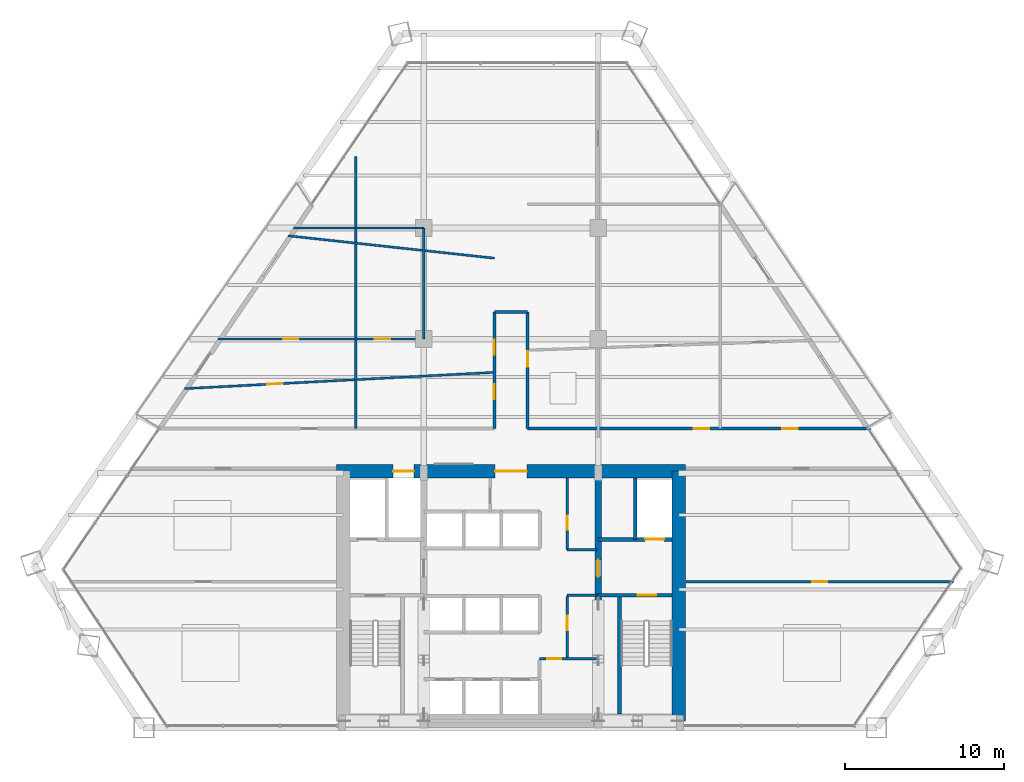
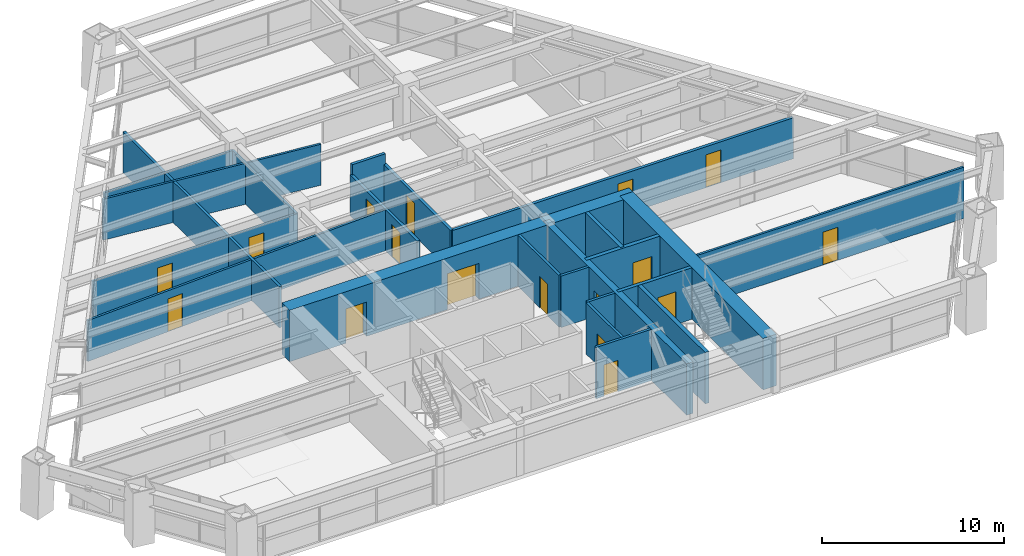
# One storey, part 11 of 14: 23 walls, 17 doors, 17 openings.
"""IFC4 building model written with IfcOpenShell, lengths in metres."""

from ifc_helpers import new_model, si_unit, direction, frame, frame_2d, origin, place, context, subcontext, project, spatial, rectangle, extrude, source, transform, mapped, material, layer, layer_set, type_object, type_shapes, element, fill, save


model = new_model("IFC4")

# Units and contexts
model_context = context("Model", 3, precision=1e-05, world=origin(), true_north=direction((0.0, 1.0)))
body_context = subcontext(model_context, "Body", "Model", "MODEL_VIEW")
ifc_project = project(units=[si_unit("LENGTHUNIT", "METRE"), si_unit("AREAUNIT", "SQUARE_METRE"), si_unit("VOLUMEUNIT", "CUBIC_METRE"), si_unit("PLANEANGLEUNIT", "RADIAN"), si_unit("MASSUNIT", "GRAM", prefix="KILO")], contexts=[model_context])

# Site, building, storey
site_placement = place(None, origin())
site = spatial("IfcSite", under=ifc_project, at=site_placement, CompositionType="ELEMENT")
building_placement = place(site_placement, origin())
building = spatial("IfcBuilding", under=site, at=building_placement, Name="Varnakhor Terracotta Tower", CompositionType="ELEMENT")
storey_placement = place(building_placement, frame((0.0, 0.0, 64.5)))
storey = spatial("IfcBuildingStorey", under=building, at=storey_placement, Name="L15", CompositionType="ELEMENT", Elevation=64.5)

# Wall, openings, doors
ifc_material_1 = material(Name="Concrete C60/75", Category="concrete")
ifc_layer_1 = layer(ifc_material_1, 0.85009765625, Name="Concrete C60/75")
ifc_layer_set_1 = layer_set([ifc_layer_1], Name="Concrete C60/75")
wall_type_1 = type_object("IfcWallType", Name="WAL-CORE-850", PredefinedType="SHEAR", material=ifc_layer_set_1)
wall_1_placement = place(storey_placement, frame((-11.0, 16.175048828125, 0.0), z_axis=(0.0, 0.0, 1.0), x_axis=(1.0, 0.0, 0.0)))
wall_1 = element("IfcWall", 1, at=wall_1_placement, inside=storey, type_object=wall_type_1, Name="L15 North Core Shear Wall", PredefinedType="SHEAR", context=body_context, shape_type="SweptSolid", body=[
    extrude(rectangle(XDim=22.0, YDim=0.85009765625, at=frame_2d((11.0, 0.0))), origin(), (0.0, 0.0, 1.0), 3.449951171875),
])
opening_1_placement = place(wall_1_placement, frame((3.570068359375, 0.0, 0.0)))
opening_1 = element("IfcOpeningElement", 2, at=opening_1_placement, cuts=wall_1, Name="Opening LD-03", PredefinedType="OPENING", context=body_context, shape_type="SweptSolid", body=[
    extrude(rectangle(XDim=1.300048828125, YDim=2.300048828125, at=frame_2d((0.64990234375, 1.14990234375))), frame((0.0, 0.43505859375, 0.0), z_axis=(0.0, -1.0, 0.0), x_axis=(1.0, 0.0, 0.0)), (0.0, 0.0, 1.0), 0.8701171875),
])
opening_2_placement = place(wall_1_placement, frame((10.0, 0.0, 0.0)))
opening_2 = element("IfcOpeningElement", 3, at=opening_2_placement, cuts=wall_1, Name="Opening DR-32", PredefinedType="OPENING", context=body_context, shape_type="SweptSolid", body=[
    extrude(rectangle(XDim=2.0, YDim=2.39990234375, at=frame_2d((1.0, 1.199951171875))), frame((0.0, 0.43505859375, 0.0), z_axis=(0.0, -1.0, 0.0), x_axis=(1.0, 0.0, 0.0)), (0.0, 0.0, 1.0), 0.8701171875),
])
ifc_material_2 = material(Name="Heavy-Duty Goods Sliding Lift Landing Door", Category="steel")
door_type_1 = type_object("IfcDoorType", Name="LD-SRV-1300X2300", OperationType="NOTDEFINED", PredefinedType="DOOR", material=ifc_material_2)
shared_shape_1 = source(origin(), body_context, "Body", "SweptSolid", [
    extrude(rectangle(XDim=1.300048828125, YDim=2.300048828125, at=frame_2d((0.64990234375, 1.14990234375))), frame((0.0, 0.02490234375, 0.0), z_axis=(0.0, -1.0, 0.0), x_axis=(1.0, 0.0, 0.0)), (0.0, 0.0, 1.0), 0.050048828125),
])
type_shapes(door_type_1, [shared_shape_1])
door_1_placement = place(opening_1_placement, origin())
door_1 = element("IfcDoor", 4, at=door_1_placement, inside=storey, type_object=door_type_1, Name="L15 Service Lift SVL-1 Landing Door", OperationType="SLIDING_TO_RIGHT", OverallHeight=2.300048828125, OverallWidth=1.300048828125, PredefinedType="DOOR", context=body_context, shape_type="MappedRepresentation", body=[
    mapped(shared_shape_1, transform((0.0, 0.0, 0.0), scale=1.0)),
])
fill(opening_1, door_1)
ifc_material_3 = material(Name="Acoustic Double Assembly Fire Door", Category="wood")
door_type_2 = type_object("IfcDoorType", Name="DR-HALL-2000X2400", OperationType="NOTDEFINED", PredefinedType="DOOR", material=ifc_material_3)
shared_shape_2 = source(origin(), body_context, "Body", "SweptSolid", [
    extrude(rectangle(XDim=2.0, YDim=2.39990234375, at=frame_2d((1.0, 1.199951171875))), frame((0.0, 0.02490234375, 0.0), z_axis=(0.0, -1.0, 0.0), x_axis=(1.0, 0.0, 0.0)), (0.0, 0.0, 1.0), 0.050048828125),
])
type_shapes(door_type_2, [shared_shape_2])
door_2_placement = place(opening_2_placement, origin())
door_2 = element("IfcDoor", 5, at=door_2_placement, inside=storey, type_object=door_type_2, Name="L15 Core Main Lobby Double Door", OperationType="DOUBLE_DOOR_SINGLE_SWING", OverallHeight=2.39990234375, OverallWidth=2.0, PredefinedType="DOOR", context=body_context, shape_type="MappedRepresentation", body=[
    mapped(shared_shape_2, transform((0.0, 0.0, 0.0), scale=1.0)),
])
fill(opening_2, door_2)

# Wall
wall_2_placement = place(storey_placement, frame((10.574951171875, 0.425048828125, 0.0), z_axis=(0.0, 0.0, 1.0), x_axis=(0.0, 1.0, 0.0)))
element("IfcWall", 6, at=wall_2_placement, inside=storey, type_object=wall_type_1, Name="L15 East Core Shear Wall", PredefinedType="SHEAR", context=body_context, shape_type="SweptSolid", body=[
    extrude(rectangle(XDim=15.75, YDim=0.85009765625, at=frame_2d((7.875, 0.0))), origin(), (0.0, 0.0, 1.0), 3.449951171875),
])

# Wall, opening, door
ifc_material_4 = material(Name="Concrete C50/60", Category="concrete")
ifc_layer_2 = layer(ifc_material_4, 0.39990234375, Name="Concrete C50/60")
ifc_layer_set_2 = layer_set([ifc_layer_2], Name="Concrete C50/60")
wall_type_2 = type_object("IfcWallType", Name="WAL-CORE-WEB-400", PredefinedType="SHEAR", material=ifc_layer_set_2)
wall_3_placement = place(storey_placement, frame((5.5, 0.425048828125, 0.0), z_axis=(0.0, 0.0, 1.0), x_axis=(0.0, 1.0, 0.0)))
wall_3 = element("IfcWall", 7, at=wall_3_placement, inside=storey, type_object=wall_type_2, Name="L15 East Core Web Shear Wall", PredefinedType="SHEAR", context=body_context, shape_type="SweptSolid", body=[
    extrude(rectangle(XDim=15.75, YDim=0.39990234375, at=frame_2d((7.875, 0.0))), origin(), (0.0, 0.0, 1.0), 3.449951171875),
])
opening_3_placement = place(wall_3_placement, frame((9.074951171875, 0.0, 0.0)))
opening_3 = element("IfcOpeningElement", 8, at=opening_3_placement, cuts=wall_3, Name="Opening DR-25", PredefinedType="OPENING", context=body_context, shape_type="SweptSolid", body=[
    extrude(rectangle(XDim=1.10009765625, YDim=2.199951171875, at=frame_2d((0.550048828125, 1.10009765625))), frame((0.0, 0.2099609375, 0.0), z_axis=(0.0, -1.0, 0.0), x_axis=(1.0, 0.0, 0.0)), (0.0, 0.0, 1.0), 0.419921875),
])
ifc_material_5 = material(Name="Firefighting Lobby Self-Closing Fire Door", Category="steel")
door_type_3 = type_object("IfcDoorType", Name="DR-FFL-1100X2200", OperationType="NOTDEFINED", PredefinedType="DOOR", material=ifc_material_5)
shared_shape_3 = source(origin(), body_context, "Body", "SweptSolid", [
    extrude(rectangle(XDim=1.10009765625, YDim=2.199951171875, at=frame_2d((0.550048828125, 1.10009765625))), frame((0.0, 0.02490234375, 0.0), z_axis=(0.0, -1.0, 0.0), x_axis=(1.0, 0.0, 0.0)), (0.0, 0.0, 1.0), 0.050048828125),
])
type_shapes(door_type_3, [shared_shape_3])
door_3_placement = place(opening_3_placement, origin())
door_3 = element("IfcDoor", 9, at=door_3_placement, inside=storey, type_object=door_type_3, Name="L15 East Firefighting Lobby Door", OperationType="SINGLE_SWING_LEFT", OverallHeight=2.199951171875, OverallWidth=1.10009765625, PredefinedType="DOOR", context=body_context, shape_type="MappedRepresentation", body=[
    mapped(shared_shape_3, transform((0.0, 0.0, 0.0), scale=1.0)),
])
fill(opening_3, door_3)

# Wall, openings, doors
ifc_material_6 = material(Name="Fire-Rated Gypsum Stud Partition", Category="gypsum")
ifc_layer_3 = layer(ifc_material_6, 0.18505859375, Name="Fire-Rated Gypsum Stud Partition")
ifc_layer_set_3 = layer_set([ifc_layer_3], Name="Fire-Rated Gypsum Stud Partition")
wall_type_3 = type_object("IfcWallType", Name="WAL-CORR-185", PredefinedType="PARTITIONING", material=ifc_layer_set_3)
wall_4_placement = place(storey_placement, frame((1.050048828125, 18.85009765625, 0.0), z_axis=(0.0, 0.0, 1.0), x_axis=(1.0, 0.0, 0.0)))
wall_4 = element("IfcWall", 10, at=wall_4_placement, inside=storey, type_object=wall_type_3, Name="L15 Corridor North East Wall", PredefinedType="PARTITIONING", context=body_context, shape_type="SweptSolid", body=[
    extrude(rectangle(XDim=21.612060546875, YDim=0.18505859375, at=frame_2d((10.80615234375, 0.0))), origin(), (0.0, 0.0, 1.0), 2.7470703125),
])
opening_4_placement = place(wall_4_placement, frame((10.485107421875, 0.0, 0.0)))
opening_4 = element("IfcOpeningElement", 11, at=opening_4_placement, cuts=wall_4, Name="Opening DR-94", PredefinedType="OPENING", context=body_context, shape_type="SweptSolid", body=[
    extrude(rectangle(XDim=0.949951171875, YDim=2.199951171875, at=frame_2d((0.47509765625, 1.10009765625))), frame((0.0, 0.1025390625, 0.0), z_axis=(0.0, -1.0, 0.0), x_axis=(1.0, 0.0, 0.0)), (0.0, 0.0, 1.0), 0.205078125),
])
opening_5_placement = place(wall_4_placement, frame((16.067626953125, 0.0, 0.0)))
opening_5 = element("IfcOpeningElement", 12, at=opening_5_placement, cuts=wall_4, Name="Opening DR-94", PredefinedType="OPENING", context=body_context, shape_type="SweptSolid", body=[
    extrude(rectangle(XDim=0.949951171875, YDim=2.199951171875, at=frame_2d((0.47509765625, 1.10009765625))), frame((0.0, 0.1025390625, 0.0), z_axis=(0.0, -1.0, 0.0), x_axis=(1.0, 0.0, 0.0)), (0.0, 0.0, 1.0), 0.205078125),
])
ifc_material_7 = material(Name="Acoustic Glazed-Vision Timber Office Door", Category="wood")
door_type_4 = type_object("IfcDoorType", Name="DR-OFF-950X2200", OperationType="NOTDEFINED", PredefinedType="DOOR", material=ifc_material_7)
shared_shape_4 = source(origin(), body_context, "Body", "SweptSolid", [
    extrude(rectangle(XDim=0.949951171875, YDim=2.199951171875, at=frame_2d((0.47509765625, 1.10009765625))), frame((0.0, 0.02490234375, 0.0), z_axis=(0.0, -1.0, 0.0), x_axis=(1.0, 0.0, 0.0)), (0.0, 0.0, 1.0), 0.050048828125),
])
type_shapes(door_type_4, [shared_shape_4])
door_4_placement = place(opening_4_placement, origin())
door_4 = element("IfcDoor", 13, at=door_4_placement, inside=storey, type_object=door_type_4, Name="L15 East Workplace Door", OperationType="SINGLE_SWING_LEFT", OverallHeight=2.199951171875, OverallWidth=0.949951171875, PredefinedType="DOOR", context=body_context, shape_type="MappedRepresentation", body=[
    mapped(shared_shape_4, transform((0.0, 0.0, 0.0), scale=1.0)),
])
fill(opening_4, door_4)
door_5_placement = place(opening_5_placement, origin())
door_5 = element("IfcDoor", 14, at=door_5_placement, inside=storey, type_object=door_type_4, Name="L15 Legal Chambers W1 Door", OperationType="SINGLE_SWING_RIGHT", OverallHeight=2.199951171875, OverallWidth=0.949951171875, PredefinedType="DOOR", context=body_context, shape_type="MappedRepresentation", body=[
    mapped(shared_shape_4, transform((0.0, 0.0, 0.0), scale=1.0)),
])
fill(opening_5, door_5)

wall_5_placement = place(storey_placement, frame((-1.050048828125, 18.85009765625, 0.0), z_axis=(0.0, 0.0, 1.0), x_axis=(0.0, 1.0, 0.0)))
wall_5 = element("IfcWall", 15, at=wall_5_placement, inside=storey, type_object=wall_type_3, Name="L15 Spine West Wall", PredefinedType="PARTITIONING", context=body_context, shape_type="SweptSolid", body=[
    extrude(rectangle(XDim=7.349853515625, YDim=0.18505859375, at=frame_2d((3.6748046875, 0.0))), origin(), (0.0, 0.0, 1.0), 2.7470703125),
])
opening_6_placement = place(wall_5_placement, frame((1.865966796875, 0.0, 0.0)))
opening_6 = element("IfcOpeningElement", 16, at=opening_6_placement, cuts=wall_5, Name="Opening DR-94", PredefinedType="OPENING", context=body_context, shape_type="SweptSolid", body=[
    extrude(rectangle(XDim=0.949951171875, YDim=2.199951171875, at=frame_2d((0.47509765625, 1.10009765625))), frame((0.0, 0.1025390625, 0.0), z_axis=(0.0, -1.0, 0.0), x_axis=(1.0, 0.0, 0.0)), (0.0, 0.0, 1.0), 0.205078125),
])
opening_7_placement = place(wall_5_placement, frame((4.664794921875, 0.0, 0.0)))
opening_7 = element("IfcOpeningElement", 17, at=opening_7_placement, cuts=wall_5, Name="Opening DR-94", PredefinedType="OPENING", context=body_context, shape_type="SweptSolid", body=[
    extrude(rectangle(XDim=0.949951171875, YDim=2.199951171875, at=frame_2d((0.47509765625, 1.10009765625))), frame((0.0, 0.1025390625, 0.0), z_axis=(0.0, -1.0, 0.0), x_axis=(1.0, 0.0, 0.0)), (0.0, 0.0, 1.0), 0.205078125),
])
door_6_placement = place(opening_6_placement, origin())
door_6 = element("IfcDoor", 18, at=door_6_placement, inside=storey, type_object=door_type_4, Name="L15 Spine West Door", OperationType="SINGLE_SWING_RIGHT", OverallHeight=2.199951171875, OverallWidth=0.949951171875, PredefinedType="DOOR", context=body_context, shape_type="MappedRepresentation", body=[
    mapped(shared_shape_4, transform((0.0, 0.0, 0.0), scale=1.0)),
])
fill(opening_6, door_6)
door_7_placement = place(opening_7_placement, origin())
door_7 = element("IfcDoor", 19, at=door_7_placement, inside=storey, type_object=door_type_4, Name="L15 Legal Chambers W2 Door", OperationType="SINGLE_SWING_LEFT", OverallHeight=2.199951171875, OverallWidth=0.949951171875, PredefinedType="DOOR", context=body_context, shape_type="MappedRepresentation", body=[
    mapped(shared_shape_4, transform((0.0, 0.0, 0.0), scale=1.0)),
])
fill(opening_7, door_7)

# Wall, opening, door
wall_6_placement = place(storey_placement, frame((1.050048828125, 18.85009765625, 0.0), z_axis=(0.0, 0.0, 1.0), x_axis=(0.0, 1.0, 0.0)))
wall_6 = element("IfcWall", 20, at=wall_6_placement, inside=storey, type_object=wall_type_3, Name="L15 Spine East Wall", PredefinedType="PARTITIONING", context=body_context, shape_type="SweptSolid", body=[
    extrude(rectangle(XDim=7.349853515625, YDim=0.18505859375, at=frame_2d((3.6748046875, 0.0))), origin(), (0.0, 0.0, 1.0), 2.7470703125),
])
opening_8_placement = place(wall_6_placement, frame((3.919921875, 0.0, 0.0)))
opening_8 = element("IfcOpeningElement", 21, at=opening_8_placement, cuts=wall_6, Name="Opening DR-94", PredefinedType="OPENING", context=body_context, shape_type="SweptSolid", body=[
    extrude(rectangle(XDim=0.949951171875, YDim=2.199951171875, at=frame_2d((0.47509765625, 1.10009765625))), frame((0.0, 0.1025390625, 0.0), z_axis=(0.0, -1.0, 0.0), x_axis=(1.0, 0.0, 0.0)), (0.0, 0.0, 1.0), 0.205078125),
])
door_8_placement = place(opening_8_placement, origin())
door_8 = element("IfcDoor", 22, at=door_8_placement, inside=storey, type_object=door_type_4, Name="L15 Spine East Door", OperationType="SINGLE_SWING_LEFT", OverallHeight=2.199951171875, OverallWidth=0.949951171875, PredefinedType="DOOR", context=body_context, shape_type="MappedRepresentation", body=[
    mapped(shared_shape_4, transform((0.0, 0.0, 0.0), scale=1.0)),
])
fill(opening_8, door_8)

# Wall
wall_7_placement = place(storey_placement, frame((-1.050048828125, 26.199951171875, 0.0), z_axis=(0.0, 0.0, 1.0), x_axis=(1.0, 0.0, 0.0)))
element("IfcWall", 23, at=wall_7_placement, inside=storey, type_object=wall_type_3, Name="L15 Spine North End Wall", PredefinedType="PARTITIONING", context=body_context, shape_type="SweptSolid", body=[
    extrude(rectangle(XDim=2.10009765625, YDim=0.18505859375, at=frame_2d((1.050048828125, 0.0))), origin(), (0.0, 0.0, 1.0), 3.44189453125),
])

# Wall, opening, door
ifc_material_8 = material(Name="Concrete C40/50", Category="concrete")
ifc_layer_4 = layer(ifc_material_8, 0.219970703125, Name="Concrete C40/50")
ifc_layer_set_4 = layer_set([ifc_layer_4], Name="Concrete C40/50")
wall_type_4 = type_object("IfcWallType", Name="WAL-FFLOBBY-220", PredefinedType="SOLIDWALL", material=ifc_layer_set_4)
wall_8_placement = place(storey_placement, frame((10.14990234375, 8.35009765625, 0.0), z_axis=(0.0, 0.0, 1.0), x_axis=(-1.0, 0.0, 0.0)))
wall_8 = element("IfcWall", 24, at=wall_8_placement, inside=storey, type_object=wall_type_4, Name="L15 East Firefighting Lobby Stair Wall", PredefinedType="SOLIDWALL", context=body_context, shape_type="SweptSolid", body=[
    extrude(rectangle(XDim=4.64990234375, YDim=0.219970703125, at=frame_2d((2.324951171875, 0.0))), origin(), (0.0, 0.0, 1.0), 3.449951171875),
])
opening_9_placement = place(wall_8_placement, frame((1.0, 0.0, 0.0)))
opening_9 = element("IfcOpeningElement", 25, at=opening_9_placement, cuts=wall_8, Name="Opening DR-34", PredefinedType="OPENING", context=body_context, shape_type="SweptSolid", body=[
    extrude(rectangle(XDim=1.14990234375, YDim=2.199951171875, at=frame_2d((0.574951171875, 1.10009765625))), frame((0.0, 0.1201171875, 0.0), z_axis=(0.0, -1.0, 0.0), x_axis=(1.0, 0.0, 0.0)), (0.0, 0.0, 1.0), 0.239990234375),
])
ifc_material_9 = material(Name="Self-Closing Smoke-Sealed Steel Fire Door", Category="steel")
door_type_5 = type_object("IfcDoorType", Name="DR-STAIR-1150X2200", OperationType="NOTDEFINED", PredefinedType="DOOR", material=ifc_material_9)
shared_shape_5 = source(origin(), body_context, "Body", "SweptSolid", [
    extrude(rectangle(XDim=1.14990234375, YDim=2.199951171875, at=frame_2d((0.574951171875, 1.10009765625))), frame((0.0, 0.02490234375, 0.0), z_axis=(0.0, -1.0, 0.0), x_axis=(1.0, 0.0, 0.0)), (0.0, 0.0, 1.0), 0.050048828125),
])
type_shapes(door_type_5, [shared_shape_5])
door_9_placement = place(opening_9_placement, origin())
door_9 = element("IfcDoor", 26, at=door_9_placement, inside=storey, type_object=door_type_5, Name="L15 Exit Stair ST-2 Fire Door", OperationType="SINGLE_SWING_RIGHT", OverallHeight=2.199951171875, OverallWidth=1.14990234375, PredefinedType="DOOR", context=body_context, shape_type="MappedRepresentation", body=[
    mapped(shared_shape_5, transform((0.0, 0.0, 0.0), scale=1.0)),
])
fill(opening_9, door_9)

# Wall, openings, doors
ifc_material_10 = material(Name="Acoustic Metal-Stud Partition", Category="gypsum")
ifc_layer_5 = layer(ifc_material_10, 0.139892578125, Name="Acoustic Metal-Stud Partition")
ifc_layer_set_5 = layer_set([ifc_layer_5], Name="Acoustic Metal-Stud Partition")
wall_type_5 = type_object("IfcWallType", Name="WAL-PART-140", PredefinedType="PARTITIONING", material=ifc_layer_set_5)
wall_9_placement = place(storey_placement, frame((-18.470703125, 24.5, 0.0), z_axis=(0.0, 0.0, 1.0), x_axis=(1.0, 0.0, 0.0)))
wall_9 = element("IfcWall", 27, at=wall_9_placement, inside=storey, type_object=wall_type_5, Name="L15 West Y24.5 Column Wall", PredefinedType="PARTITIONING", context=body_context, shape_type="SweptSolid", body=[
    extrude(rectangle(XDim=12.970703125, YDim=0.139892578125, at=frame_2d((6.4853515625, 0.0))), origin(), (0.0, 0.0, 1.0), 2.7470703125),
])
opening_10_placement = place(wall_9_placement, frame((4.1103515625, 0.0, 0.0)))
opening_10 = element("IfcOpeningElement", 28, at=opening_10_placement, cuts=wall_9, Name="Opening DR-94", PredefinedType="OPENING", context=body_context, shape_type="SweptSolid", body=[
    extrude(rectangle(XDim=0.949951171875, YDim=2.199951171875, at=frame_2d((0.47509765625, 1.10009765625))), frame((0.0, 0.080078125, 0.0), z_axis=(0.0, -1.0, 0.0), x_axis=(1.0, 0.0, 0.0)), (0.0, 0.0, 1.0), 0.159912109375),
])
opening_11_placement = place(wall_9_placement, frame((9.89501953125, 0.0, 0.0)))
opening_11 = element("IfcOpeningElement", 29, at=opening_11_placement, cuts=wall_9, Name="Opening DR-94", PredefinedType="OPENING", context=body_context, shape_type="SweptSolid", body=[
    extrude(rectangle(XDim=0.949951171875, YDim=2.199951171875, at=frame_2d((0.47509765625, 1.10009765625))), frame((0.0, 0.080078125, 0.0), z_axis=(0.0, -1.0, 0.0), x_axis=(1.0, 0.0, 0.0)), (0.0, 0.0, 1.0), 0.159912109375),
])
door_10_placement = place(opening_10_placement, origin())
door_10 = element("IfcDoor", 30, at=door_10_placement, inside=storey, type_object=door_type_4, Name="L15 Counsel Office E2 B13 Door", OperationType="SINGLE_SWING_LEFT", OverallHeight=2.199951171875, OverallWidth=0.949951171875, PredefinedType="DOOR", context=body_context, shape_type="MappedRepresentation", body=[
    mapped(shared_shape_4, transform((0.0, 0.0, 0.0), scale=1.0)),
])
fill(opening_10, door_10)
door_11_placement = place(opening_11_placement, origin())
door_11 = element("IfcDoor", 31, at=door_11_placement, inside=storey, type_object=door_type_4, Name="L15 Tea Point B14 Door", OperationType="SINGLE_SWING_RIGHT", OverallHeight=2.199951171875, OverallWidth=0.949951171875, PredefinedType="DOOR", context=body_context, shape_type="MappedRepresentation", body=[
    mapped(shared_shape_4, transform((0.0, 0.0, 0.0), scale=1.0)),
])
fill(opening_11, door_11)

# Walls
wall_10_placement = place(storey_placement, frame((-5.5, 24.5, 0.0), z_axis=(0.0, 0.0, 1.0), x_axis=(0.0, 1.0, 0.0)))
element("IfcWall", 32, at=wall_10_placement, inside=storey, type_object=wall_type_5, Name="L15 West Mid Link Wall", PredefinedType="PARTITIONING", context=body_context, shape_type="SweptSolid", body=[
    extrude(rectangle(XDim=7.0, YDim=0.139892578125, at=frame_2d((3.5, 0.0))), origin(), (0.0, 0.0, 1.0), 2.7470703125),
])
wall_11_placement = place(storey_placement, frame((-13.714111328125, 31.5, 0.0), z_axis=(0.0, 0.0, 1.0), x_axis=(1.0, 0.0, 0.0)))
element("IfcWall", 33, at=wall_11_placement, inside=storey, type_object=wall_type_5, Name="L15 West Y31.5 Column Wall", PredefinedType="PARTITIONING", context=body_context, shape_type="SweptSolid", body=[
    extrude(rectangle(XDim=8.214111328125, YDim=0.139892578125, at=frame_2d((4.10693359375, 0.0))), origin(), (0.0, 0.0, 1.0), 2.7470703125),
])

# Wall, opening, door
wall_12_placement = place(storey_placement, frame((-20.594970703125, 21.3740234375, 0.0), z_axis=(0.0, 0.0, 1.0), x_axis=(0.998625331151, 0.052416104246, 0.0)))
wall_12 = element("IfcWall", 34, at=wall_12_placement, inside=storey, type_object=wall_type_5, Name="L15 West Wing Cut 1", PredefinedType="PARTITIONING", context=body_context, shape_type="SweptSolid", body=[
    extrude(rectangle(XDim=19.57177734375, YDim=0.139892578125, at=frame_2d((9.785888671875, 0.0))), origin(), (0.0, 0.0, 1.0), 2.7470703125),
])
opening_12_placement = place(wall_12_placement, frame((5.232666015625, 0.0, 0.0)))
opening_12 = element("IfcOpeningElement", 35, at=opening_12_placement, cuts=wall_12, Name="Opening DR-94", PredefinedType="OPENING", context=body_context, shape_type="SweptSolid", body=[
    extrude(rectangle(XDim=0.949951171875, YDim=2.199951171875, at=frame_2d((0.47509765625, 1.10009765625))), frame((0.0, 0.080078125, 0.0), z_axis=(0.0, -1.0, 0.0), x_axis=(1.0, 0.0, 0.0)), (0.0, 0.0, 1.0), 0.159912109375),
])
door_12_placement = place(opening_12_placement, origin())
door_12 = element("IfcDoor", 36, at=door_12_placement, inside=storey, type_object=door_type_4, Name="L15 Law Library Reading Room Door", OperationType="SINGLE_SWING_LEFT", OverallHeight=2.199951171875, OverallWidth=0.949951171875, PredefinedType="DOOR", context=body_context, shape_type="MappedRepresentation", body=[
    mapped(shared_shape_4, transform((0.0, 0.0, 0.0), scale=1.0)),
])
fill(opening_12, door_12)

# Wall
wall_13_placement = place(storey_placement, frame((-14.04638671875, 31.0107421875, 0.0), z_axis=(0.0, 0.0, 1.0), x_axis=(0.994160894158, -0.107907907622, 0.0)))
element("IfcWall", 37, at=wall_13_placement, inside=storey, type_object=wall_type_5, Name="L15 West Wing Cut 2", PredefinedType="PARTITIONING", context=body_context, shape_type="SweptSolid", body=[
    extrude(rectangle(XDim=13.07275390625, YDim=0.139892578125, at=frame_2d((6.536376953125, 0.0))), origin(), (0.0, 0.0, 1.0), 2.7470703125),
])

# Wall, opening, door
wall_14_placement = place(storey_placement, frame((11.02001953125, 9.199951171875, 0.0), z_axis=(0.0, 0.0, 1.0), x_axis=(1.0, 0.0, 0.0)))
wall_14 = element("IfcWall", 38, at=wall_14_placement, inside=storey, type_object=wall_type_5, Name="L15 South East Cut 1", PredefinedType="PARTITIONING", context=body_context, shape_type="SweptSolid", body=[
    extrude(rectangle(XDim=16.892822265625, YDim=0.139892578125, at=frame_2d((8.4462890625, 0.0))), origin(), (0.0, 0.0, 1.0), 3.44189453125),
])
opening_13_placement = place(wall_14_placement, frame((7.958740234375, 0.0, 0.0)))
opening_13 = element("IfcOpeningElement", 39, at=opening_13_placement, cuts=wall_14, Name="Opening DR-94", PredefinedType="OPENING", context=body_context, shape_type="SweptSolid", body=[
    extrude(rectangle(XDim=0.949951171875, YDim=2.199951171875, at=frame_2d((0.47509765625, 1.10009765625))), frame((0.0, 0.080078125, 0.0), z_axis=(0.0, -1.0, 0.0), x_axis=(1.0, 0.0, 0.0)), (0.0, 0.0, 1.0), 0.159912109375),
])
door_13_placement = place(opening_13_placement, origin())
door_13 = element("IfcDoor", 40, at=door_13_placement, inside=storey, type_object=door_type_4, Name="L15 South East Conference Room Door", OperationType="SINGLE_SWING_LEFT", OverallHeight=2.199951171875, OverallWidth=0.949951171875, PredefinedType="DOOR", context=body_context, shape_type="MappedRepresentation", body=[
    mapped(shared_shape_4, transform((0.0, 0.0, 0.0), scale=1.0)),
])
fill(opening_13, door_13)

# Walls
ifc_layer_6 = layer(ifc_material_8, 0.219970703125, Name="Concrete C40/50")
ifc_layer_set_6 = layer_set([ifc_layer_6], Name="Concrete C40/50")
wall_type_6 = type_object("IfcWallType", Name="WAL-SHAFT-220", PredefinedType="SOLIDWALL", material=ifc_layer_set_6)
wall_15_placement = place(storey_placement, frame((7.840087890625, 11.8701171875, 0.0), z_axis=(0.0, 0.0, 1.0), x_axis=(0.0, 1.0, 0.0)))
element("IfcWall", 41, at=wall_15_placement, inside=storey, type_object=wall_type_6, Name="L15 Lift FFL-2 and Riser Divider Wall", PredefinedType="SOLIDWALL", context=body_context, shape_type="SweptSolid", body=[
    extrude(rectangle(XDim=3.8798828125, YDim=0.219970703125, at=frame_2d((1.93994140625, 0.0))), origin(), (0.0, 0.0, 1.0), 3.449951171875),
])
ifc_layer_7 = layer(ifc_material_8, 0.25, Name="Concrete C40/50")
ifc_layer_set_7 = layer_set([ifc_layer_7], Name="Concrete C40/50")
wall_type_7 = type_object("IfcWallType", Name="WAL-SHAFT-250", PredefinedType="SOLIDWALL", material=ifc_layer_set_7)
wall_16_placement = place(storey_placement, frame((6.85009765625, 0.85009765625, 0.0), z_axis=(0.0, 0.0, 1.0), x_axis=(0.0, 1.0, 0.0)))
element("IfcWall", 42, at=wall_16_placement, inside=storey, type_object=wall_type_7, Name="L15 Stair ST-2 Bearing Shaft Wall", PredefinedType="SOLIDWALL", context=body_context, shape_type="SweptSolid", body=[
    extrude(rectangle(XDim=7.5, YDim=0.25, at=frame_2d((3.75, 0.0))), origin(), (0.0, 0.0, 1.0), 3.449951171875),
])

# Wall, opening, door
wall_17_placement = place(storey_placement, frame((10.14990234375, 11.8701171875, 0.0), z_axis=(0.0, 0.0, 1.0), x_axis=(-1.0, 0.0, 0.0)))
wall_17 = element("IfcWall", 43, at=wall_17_placement, inside=storey, type_object=wall_type_7, Name="L15 Lift FFL-2 Shaft Front Wall", PredefinedType="SOLIDWALL", context=body_context, shape_type="SweptSolid", body=[
    extrude(rectangle(XDim=4.64990234375, YDim=0.25, at=frame_2d((2.324951171875, 0.0))), origin(), (0.0, 0.0, 1.0), 3.449951171875),
])
opening_14_placement = place(wall_17_placement, frame((0.5, 0.0, 0.0)))
opening_14 = element("IfcOpeningElement", 44, at=opening_14_placement, cuts=wall_17, Name="Opening LD-02", PredefinedType="OPENING", context=body_context, shape_type="SweptSolid", body=[
    extrude(rectangle(XDim=1.199951171875, YDim=2.25, at=frame_2d((0.60009765625, 1.125))), frame((0.0, 0.135009765625, 0.0), z_axis=(0.0, -1.0, 0.0), x_axis=(1.0, 0.0, 0.0)), (0.0, 0.0, 1.0), 0.27001953125),
])
ifc_material_11 = material(Name="Firefighting Stretcher Sliding Lift Landing Door", Category="steel")
door_type_6 = type_object("IfcDoorType", Name="LD-FFL-1200X2250", OperationType="NOTDEFINED", PredefinedType="DOOR", material=ifc_material_11)
shared_shape_6 = source(origin(), body_context, "Body", "SweptSolid", [
    extrude(rectangle(XDim=1.199951171875, YDim=2.25, at=frame_2d((0.60009765625, 1.125))), frame((0.0, 0.02490234375, 0.0), z_axis=(0.0, -1.0, 0.0), x_axis=(1.0, 0.0, 0.0)), (0.0, 0.0, 1.0), 0.050048828125),
])
type_shapes(door_type_6, [shared_shape_6])
door_14_placement = place(opening_14_placement, origin())
door_14 = element("IfcDoor", 45, at=door_14_placement, inside=storey, type_object=door_type_6, Name="L15 Firefighting Lift FFL-2 Landing Door", OperationType="SLIDING_TO_RIGHT", OverallHeight=2.25, OverallWidth=1.199951171875, PredefinedType="DOOR", context=body_context, shape_type="MappedRepresentation", body=[
    mapped(shared_shape_6, transform((0.0, 0.0, 0.0), scale=1.0)),
])
fill(opening_14, door_14)

ifc_material_12 = material(Name="Acoustic Fire-Rated Partition", Category="gypsum")
ifc_layer_8 = layer(ifc_material_12, 0.1650390625, Name="Acoustic Fire-Rated Partition")
ifc_layer_set_8 = layer_set([ifc_layer_8], Name="Acoustic Fire-Rated Partition")
wall_type_8 = type_object("IfcWallType", Name="WAL-TENANCY-165", PredefinedType="PARTITIONING", material=ifc_layer_set_8)
wall_18_placement = place(storey_placement, frame((3.5400390625, 4.4326171875, 0.0), z_axis=(0.0, 0.0, 1.0), x_axis=(0.0, 1.0, 0.0)))
wall_18 = element("IfcWall", 46, at=wall_18_placement, inside=storey, type_object=wall_type_8, Name="L15 Core Service Rated Wall", PredefinedType="PARTITIONING", context=body_context, shape_type="SweptSolid", body=[
    extrude(rectangle(XDim=3.824951171875, YDim=0.1650390625, at=frame_2d((1.91259765625, 0.0))), origin(), (0.0, 0.0, 1.0), 3.44189453125),
])
opening_15_placement = place(wall_18_placement, frame((1.72119140625, 0.0, 0.0)))
opening_15 = element("IfcOpeningElement", 47, at=opening_15_placement, cuts=wall_18, Name="Opening DR-67", PredefinedType="OPENING", context=body_context, shape_type="SweptSolid", body=[
    extrude(rectangle(XDim=0.89990234375, YDim=2.10009765625, at=frame_2d((0.449951171875, 1.050048828125))), frame((0.0, 0.092529296875, 0.0), z_axis=(0.0, -1.0, 0.0), x_axis=(1.0, 0.0, 0.0)), (0.0, 0.0, 1.0), 0.18505859375),
])
ifc_material_13 = material(Name="Steel Service Riser Fire Door", Category="steel")
door_type_7 = type_object("IfcDoorType", Name="DR-RISER-900X2100", OperationType="NOTDEFINED", PredefinedType="DOOR", material=ifc_material_13)
shared_shape_7 = source(origin(), body_context, "Body", "SweptSolid", [
    extrude(rectangle(XDim=0.89990234375, YDim=2.10009765625, at=frame_2d((0.449951171875, 1.050048828125))), frame((0.0, 0.02490234375, 0.0), z_axis=(0.0, -1.0, 0.0), x_axis=(1.0, 0.0, 0.0)), (0.0, 0.0, 1.0), 0.050048828125),
])
type_shapes(door_type_7, [shared_shape_7])
door_15_placement = place(opening_15_placement, origin())
door_15 = element("IfcDoor", 48, at=door_15_placement, inside=storey, type_object=door_type_7, Name="L15 Core Accessible WC Door", OperationType="SINGLE_SWING_LEFT", OverallHeight=2.10009765625, OverallWidth=0.89990234375, PredefinedType="DOOR", context=body_context, shape_type="MappedRepresentation", body=[
    mapped(shared_shape_7, transform((0.0, 0.0, 0.0), scale=1.0)),
])
fill(opening_15, door_15)

# Wall
wall_19_placement = place(storey_placement, frame((3.5400390625, 8.340087890625, 0.0), z_axis=(0.0, 0.0, 1.0), x_axis=(1.0, 0.0, 0.0)))
element("IfcWall", 49, at=wall_19_placement, inside=storey, type_object=wall_type_8, Name="L15 Accessible WC North Wall", PredefinedType="PARTITIONING", context=body_context, shape_type="SweptSolid", body=[
    extrude(rectangle(XDim=1.8798828125, YDim=0.1650390625, at=frame_2d((0.93994140625, 0.0))), origin(), (0.0, 0.0, 1.0), 3.44189453125),
])

# Wall, opening, door
wall_20_placement = place(storey_placement, frame((1.800048828125, 4.35009765625, 0.0), z_axis=(0.0, 0.0, 1.0), x_axis=(1.0, 0.0, 0.0)))
wall_20 = element("IfcWall", 50, at=wall_20_placement, inside=storey, type_object=wall_type_8, Name="L15 Core South Service Rated Wall", PredefinedType="PARTITIONING", context=body_context, shape_type="SweptSolid", body=[
    extrude(rectangle(XDim=3.619873046875, YDim=0.1650390625, at=frame_2d((1.81005859375, 0.0))), origin(), (0.0, 0.0, 1.0), 3.44189453125),
])
opening_16_placement = place(wall_20_placement, frame((0.47998046875, 0.0, 0.0)))
opening_16 = element("IfcOpeningElement", 51, at=opening_16_placement, cuts=wall_20, Name="Opening DR-67", PredefinedType="OPENING", context=body_context, shape_type="SweptSolid", body=[
    extrude(rectangle(XDim=0.89990234375, YDim=2.10009765625, at=frame_2d((0.449951171875, 1.050048828125))), frame((0.0, 0.092529296875, 0.0), z_axis=(0.0, -1.0, 0.0), x_axis=(1.0, 0.0, 0.0)), (0.0, 0.0, 1.0), 0.18505859375),
])
door_16_placement = place(opening_16_placement, origin())
door_16 = element("IfcDoor", 52, at=door_16_placement, inside=storey, type_object=door_type_7, Name="L15 Core IT Room Door", OperationType="SINGLE_SWING_RIGHT", OverallHeight=2.10009765625, OverallWidth=0.89990234375, PredefinedType="DOOR", context=body_context, shape_type="MappedRepresentation", body=[
    mapped(shared_shape_7, transform((0.0, 0.0, 0.0), scale=1.0)),
])
fill(opening_16, door_16)

wall_21_placement = place(storey_placement, frame((3.5400390625, 11.219970703125, 0.0), z_axis=(0.0, 0.0, 1.0), x_axis=(0.0, 1.0, 0.0)))
wall_21 = element("IfcWall", 53, at=wall_21_placement, inside=storey, type_object=wall_type_8, Name="L15 Restroom Corridor Wall", PredefinedType="PARTITIONING", context=body_context, shape_type="SweptSolid", body=[
    extrude(rectangle(XDim=4.530029296875, YDim=0.1650390625, at=frame_2d((2.26513671875, 0.0))), origin(), (0.0, 0.0, 1.0), 3.44189453125),
])
opening_17_placement = place(wall_21_placement, frame((1.25, 0.0, 0.0)))
opening_17 = element("IfcOpeningElement", 54, at=opening_17_placement, cuts=wall_21, Name="Opening DR-67", PredefinedType="OPENING", context=body_context, shape_type="SweptSolid", body=[
    extrude(rectangle(XDim=0.89990234375, YDim=2.10009765625, at=frame_2d((0.449951171875, 1.050048828125))), frame((0.0, 0.092529296875, 0.0), z_axis=(0.0, -1.0, 0.0), x_axis=(1.0, 0.0, 0.0)), (0.0, 0.0, 1.0), 0.18505859375),
])
door_17_placement = place(opening_17_placement, origin())
door_17 = element("IfcDoor", 55, at=door_17_placement, inside=storey, type_object=door_type_7, Name="L15 Female WC Door", OperationType="SINGLE_SWING_LEFT", OverallHeight=2.10009765625, OverallWidth=0.89990234375, PredefinedType="DOOR", context=body_context, shape_type="MappedRepresentation", body=[
    mapped(shared_shape_7, transform((0.0, 0.0, 0.0), scale=1.0)),
])
fill(opening_17, door_17)

# Walls
wall_22_placement = place(storey_placement, frame((3.5400390625, 11.219970703125, 0.0), z_axis=(0.0, 0.0, 1.0), x_axis=(1.0, 0.0, 0.0)))
element("IfcWall", 56, at=wall_22_placement, inside=storey, type_object=wall_type_8, Name="L15 Restroom South Wall", PredefinedType="PARTITIONING", context=body_context, shape_type="SweptSolid", body=[
    extrude(rectangle(XDim=1.8798828125, YDim=0.1650390625, at=frame_2d((0.93994140625, 0.0))), origin(), (0.0, 0.0, 1.0), 3.44189453125),
])
wall_23_placement = place(storey_placement, frame((-9.800048828125, 18.85009765625, 0.0), z_axis=(0.0, 0.0, 1.0), x_axis=(0.0, 1.0, 0.0)))
element("IfcWall", 57, at=wall_23_placement, inside=storey, type_object=wall_type_8, Name="L15 West Cellular Line", PredefinedType="PARTITIONING", context=body_context, shape_type="SweptSolid", body=[
    extrude(rectangle(XDim=17.14990234375, YDim=0.1650390625, at=frame_2d((8.574951171875, 0.0))), origin(), (0.0, 0.0, 1.0), 2.7470703125),
])

save(model, "model.ifc")
